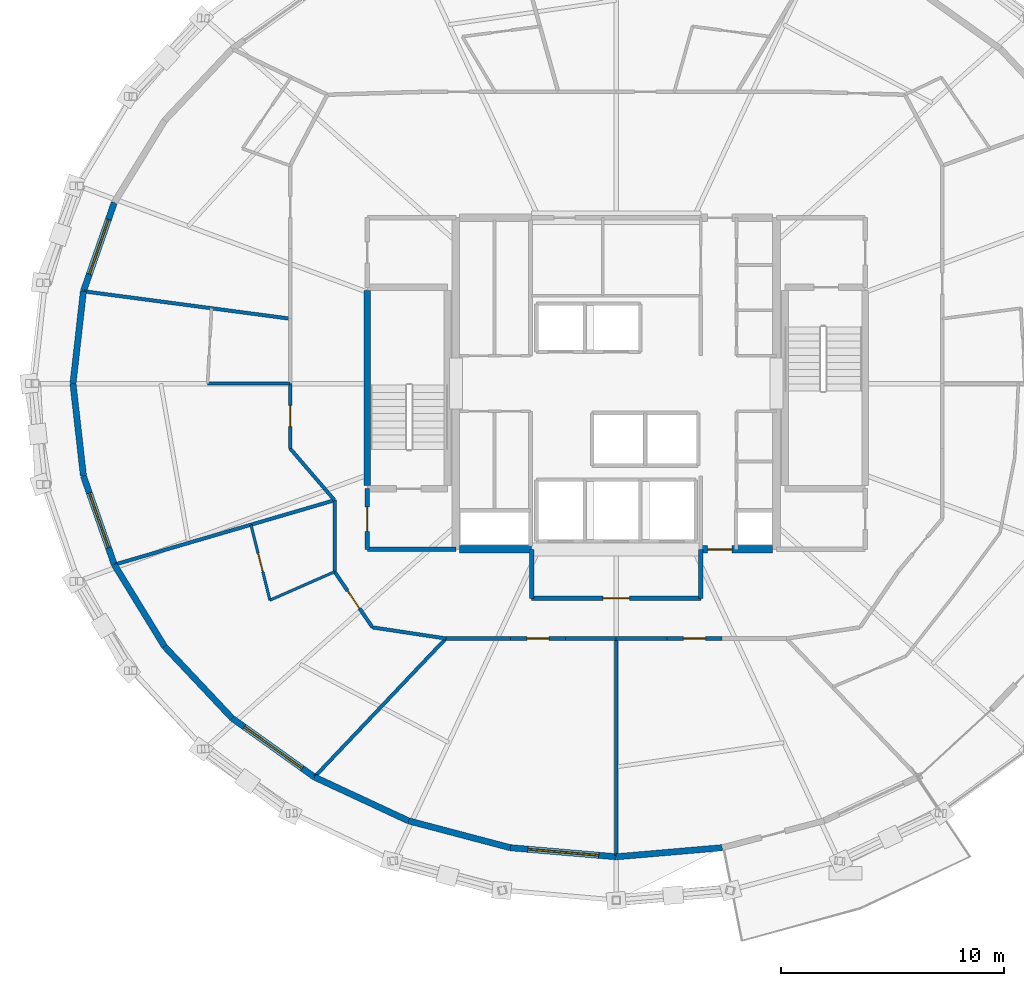
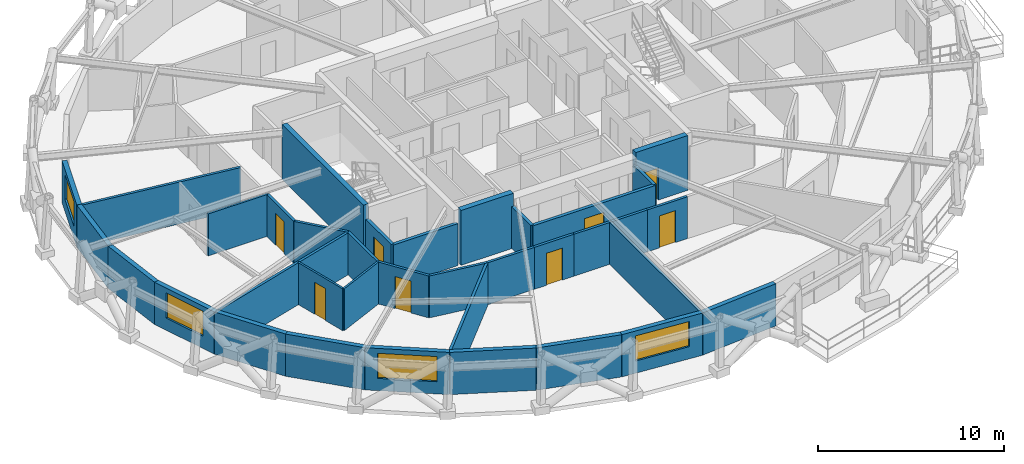
# One storey, part 9 of 14: 36 walls, 8 doors, 4 windows, 12 openings.
"""IFC4 building model written with IfcOpenShell, lengths in metres."""

from ifc_helpers import new_model, si_unit, direction, frame, frame_2d, origin, place, context, subcontext, project, spatial, rectangle, extrude, material, layer, layer_set, type_object, element, fill, save


model = new_model("IFC4")

# Units and contexts
model_context = context("Model", 3, precision=1e-05, world=origin(), true_north=direction((0.0, 1.0)))
body_context = subcontext(model_context, "Body", "Model", "MODEL_VIEW")
ifc_project = project(units=[si_unit("LENGTHUNIT", "METRE"), si_unit("AREAUNIT", "SQUARE_METRE"), si_unit("VOLUMEUNIT", "CUBIC_METRE"), si_unit("PLANEANGLEUNIT", "RADIAN"), si_unit("MASSUNIT", "GRAM", prefix="KILO")], contexts=[model_context])

# Site, building, storey
site_placement = place(None, origin())
site = spatial("IfcSite", under=ifc_project, at=site_placement, CompositionType="ELEMENT")
building_placement = place(site_placement, origin())
building = spatial("IfcBuilding", under=site, at=building_placement, Name="Veldorina Hangang Commons", CompositionType="ELEMENT")
storey_placement = place(building_placement, frame((0.0, 0.0, 200.0)))
storey = spatial("IfcBuildingStorey", under=building, at=storey_placement, Name="L52", CompositionType="ELEMENT", Elevation=200.0)

# Wall
ifc_material_1 = material(Name="Concrete C60/75", Category="concrete")
ifc_layer_1 = layer(ifc_material_1, 0.340087890625)
ifc_layer_set_1 = layer_set([ifc_layer_1], Name="Concrete C60/75")
wall_type_1 = type_object("IfcWallType", Name="CW-RC340-C60", PredefinedType="SHEAR", material=ifc_layer_set_1)
wall_1_placement = place(storey_placement, frame((24.969970703125, 16.550048828125, 0.0), z_axis=(0.0, 0.0, 1.0), x_axis=(1.0, 0.0, 0.0)))
element("IfcWall", 1, at=wall_1_placement, inside=storey, type_object=wall_type_1, Name="L52 south-west core shear wall", PredefinedType="SHEAR", context=body_context, shape_type="SweptSolid", body=[
    extrude(rectangle(XDim=3.22998046875, YDim=0.340087890625, at=frame_2d((1.614990234375, 0.0))), origin(), (0.0, 0.0, 1.0), 3.60009765625),
])

# Wall, opening, door
wall_2_placement = place(storey_placement, frame((35.800048828125, 16.550048828125, 0.0), z_axis=(0.0, 0.0, 1.0), x_axis=(1.0, 0.0, 0.0)))
wall_2 = element("IfcWall", 2, at=wall_2_placement, inside=storey, type_object=wall_type_1, Name="L52 south-east core shear wall", PredefinedType="SHEAR", context=body_context, shape_type="SweptSolid", body=[
    extrude(rectangle(XDim=3.22998046875, YDim=0.340087890625, at=frame_2d((1.614990234375, 0.0))), origin(), (0.0, 0.0, 1.0), 3.60009765625),
])
opening_1_placement = place(wall_2_placement, frame((0.300048828125, 0.0, 0.0)))
opening_1 = element("IfcOpeningElement", 3, at=opening_1_placement, cuts=wall_2, Name="Opening D-08", PredefinedType="OPENING", context=body_context, shape_type="SweptSolid", body=[
    extrude(rectangle(XDim=1.10009765625, YDim=2.10009765625, at=frame_2d((0.550048828125, 1.050048828125))), frame((0.0, 0.18017578125, 0.0), z_axis=(0.0, -1.0, 0.0), x_axis=(1.0, 0.0, 0.0)), (0.0, 0.0, 1.0), 0.360107421875),
])
ifc_material_2 = material(Name="Steel Fire-Rated Smoke Seal", Category="steel")
door_type_1 = type_object("IfcDoorType", Name="DR-FIRE-1100", OperationType="SINGLE_SWING_RIGHT", PredefinedType="DOOR", material=ifc_material_2)
door_1_placement = place(opening_1_placement, origin())
door_1 = element("IfcDoor", 4, at=door_1_placement, inside=storey, type_object=door_type_1, Name="L52 central lift lobby south corridor door", OperationType="SINGLE_SWING_RIGHT", OverallHeight=2.10009765625, OverallWidth=1.10009765625, PredefinedType="DOOR", context=body_context, shape_type="SweptSolid", body=[
    extrude(rectangle(XDim=1.10009765625, YDim=2.10009765625, at=frame_2d((0.550048828125, 1.050048828125))), frame((0.0, 0.02490234375, 0.0), z_axis=(0.0, -1.0, 0.0), x_axis=(1.0, 0.0, 0.0)), (0.0, 0.0, 1.0), 0.050048828125),
])
fill(opening_1, door_1)

# Wall, opening, window
ifc_material_3 = material(Name="Stone Roman Travertine", Category="masonry")
ifc_layer_2 = layer(ifc_material_3, 0.280029296875)
ifc_layer_set_2 = layer_set([ifc_layer_2], Name="Stone Roman Travertine")
wall_type_2 = type_object("IfcWallType", Name="EW-TRAV-280", PredefinedType="STANDARD", material=ifc_layer_set_2)
wall_3_placement = place(storey_placement, frame((9.456787109375, 32.134033203125, 0.0), z_axis=(0.0, 0.0, 1.0), x_axis=(-0.328845805233, -0.94438362776, 0.0)))
wall_3 = element("IfcWall", 5, at=wall_3_placement, inside=storey, type_object=wall_type_2, Name="L52 travertine facade wall 14", PredefinedType="STANDARD", context=body_context, shape_type="SweptSolid", body=[
    extrude(rectangle(XDim=4.22216796875, YDim=0.280029296875, at=frame_2d((2.111083984375, 0.0))), origin(), (0.0, 0.0, 1.0), 2.77001953125),
])
opening_2_placement = place(wall_3_placement, frame((0.81103515625, 0.0, 0.800048828125)))
opening_2 = element("IfcOpeningElement", 6, at=opening_2_placement, cuts=wall_3, Name="Opening W-02", PredefinedType="OPENING", context=body_context, shape_type="SweptSolid", body=[
    extrude(rectangle(XDim=2.60009765625, YDim=1.64990234375, at=frame_2d((1.300048828125, 0.824951171875))), frame((0.0, 0.14990234375, 0.0), z_axis=(0.0, -1.0, 0.0), x_axis=(1.0, 0.0, 0.0)), (0.0, 0.0, 1.0), 0.300048828125),
])
ifc_material_4 = material(Name="Glass Low-E Triple IGU", Category="glass")
window_type_1 = type_object("IfcWindowType", Name="WIN-TWR-2600", PartitioningType="SINGLE_PANEL", PredefinedType="WINDOW", material=ifc_material_4)
window_1_placement = place(opening_2_placement, origin())
window_1 = element("IfcWindow", 7, at=window_1_placement, inside=storey, type_object=window_type_1, Name="L52 facade window 14", OverallHeight=1.64990234375, OverallWidth=2.60009765625, PartitioningType="SINGLE_PANEL", PredefinedType="WINDOW", context=body_context, shape_type="SweptSolid", body=[
    extrude(rectangle(XDim=2.60009765625, YDim=1.64990234375, at=frame_2d((1.300048828125, 0.824951171875))), frame((0.0, 0.030029296875, 0.0), z_axis=(0.0, -1.0, 0.0), x_axis=(1.0, 0.0, 0.0)), (0.0, 0.0, 1.0), 0.06005859375),
])
fill(opening_2, window_1)

# Walls
for number, where, z_axis, x_axis, name in (
    (8, (8.068359375, 28.146728515625, 0.0), (0.0, 0.0, 1.0), (-0.112325534702, -0.99367146193, 0.0), "L52 travertine facade wall 15"),
    (9, (7.599609375, 24.0, 0.0), (0.0, 0.0, 1.0), (0.112325534702, -0.99367146193, 0.0), "L52 travertine facade wall 16"),
):
    element("IfcWall", number, at=place(storey_placement, frame(where, z_axis=z_axis, x_axis=x_axis)), inside=storey, type_object=wall_type_2, Name=name, PredefinedType="STANDARD", context=body_context, shape_type="SweptSolid", body=[
        extrude(rectangle(XDim=4.173095703125, YDim=0.280029296875, at=frame_2d((2.08642578125, 0.0))), origin(), (0.0, 0.0, 1.0), 2.77001953125),
    ])

# Wall, opening, window
wall_4_placement = place(storey_placement, frame((8.068359375, 19.853271484375, 0.0), z_axis=(0.0, 0.0, 1.0), x_axis=(0.328845805233, -0.94438362776, 0.0)))
wall_4 = element("IfcWall", 10, at=wall_4_placement, inside=storey, type_object=wall_type_2, Name="L52 travertine facade wall 17", PredefinedType="STANDARD", context=body_context, shape_type="SweptSolid", body=[
    extrude(rectangle(XDim=4.22216796875, YDim=0.280029296875, at=frame_2d((2.111083984375, 0.0))), origin(), (0.0, 0.0, 1.0), 2.77001953125),
])
opening_3_placement = place(wall_4_placement, frame((0.81103515625, 0.0, 0.800048828125)))
opening_3 = element("IfcOpeningElement", 11, at=opening_3_placement, cuts=wall_4, Name="Opening W-02", PredefinedType="OPENING", context=body_context, shape_type="SweptSolid", body=[
    extrude(rectangle(XDim=2.60009765625, YDim=1.64990234375, at=frame_2d((1.300048828125, 0.824951171875))), frame((0.0, 0.14990234375, 0.0), z_axis=(0.0, -1.0, 0.0), x_axis=(1.0, 0.0, 0.0)), (0.0, 0.0, 1.0), 0.300048828125),
])
window_2_placement = place(opening_3_placement, origin())
window_2 = element("IfcWindow", 12, at=window_2_placement, inside=storey, type_object=window_type_1, Name="L52 facade window 17", OverallHeight=1.64990234375, OverallWidth=2.60009765625, PartitioningType="SINGLE_PANEL", PredefinedType="WINDOW", context=body_context, shape_type="SweptSolid", body=[
    extrude(rectangle(XDim=2.60009765625, YDim=1.64990234375, at=frame_2d((1.300048828125, 0.824951171875))), frame((0.0, 0.030029296875, 0.0), z_axis=(0.0, -1.0, 0.0), x_axis=(1.0, 0.0, 0.0)), (0.0, 0.0, 1.0), 0.06005859375),
])
fill(opening_3, window_2)

# Walls
wall_5_placement = place(storey_placement, frame((9.456787109375, 15.865966796875, 0.0), z_axis=(0.0, 0.0, 1.0), x_axis=(0.522997521468, -0.852334202375, 0.0)))
element("IfcWall", 13, at=wall_5_placement, inside=storey, type_object=wall_type_2, Name="L52 travertine facade wall 18", PredefinedType="STANDARD", context=body_context, shape_type="SweptSolid", body=[
    extrude(rectangle(XDim=4.3115234375, YDim=0.280029296875, at=frame_2d((2.15576171875, 0.0))), origin(), (0.0, 0.0, 1.0), 2.77001953125),
])
wall_6_placement = place(storey_placement, frame((11.711669921875, 12.191162109375, 0.0), z_axis=(0.0, 0.0, 1.0), x_axis=(0.685717407763, -0.727867870352, 0.0)))
element("IfcWall", 14, at=wall_6_placement, inside=storey, type_object=wall_type_2, Name="L52 travertine facade wall 19", PredefinedType="STANDARD", context=body_context, shape_type="SweptSolid", body=[
    extrude(rectangle(XDim=4.42529296875, YDim=0.280029296875, at=frame_2d((2.212646484375, 0.0))), origin(), (0.0, 0.0, 1.0), 2.77001953125),
])

# Wall, opening, window
wall_7_placement = place(storey_placement, frame((14.74609375, 8.97021484375, 0.0), z_axis=(0.0, 0.0, 1.0), x_axis=(0.813519294528, -0.581537924327, 0.0)))
wall_7 = element("IfcWall", 15, at=wall_7_placement, inside=storey, type_object=wall_type_2, Name="L52 travertine facade wall 20", PredefinedType="STANDARD", context=body_context, shape_type="SweptSolid", body=[
    extrude(rectangle(XDim=4.54541015625, YDim=0.280029296875, at=frame_2d((2.272705078125, 0.0))), origin(), (0.0, 0.0, 1.0), 2.77001953125),
])
opening_4_placement = place(wall_7_placement, frame((0.672607421875, 0.0, 0.800048828125)))
opening_4 = element("IfcOpeningElement", 16, at=opening_4_placement, cuts=wall_7, Name="Opening W-01", PredefinedType="OPENING", context=body_context, shape_type="SweptSolid", body=[
    extrude(rectangle(XDim=3.199951171875, YDim=1.64990234375, at=frame_2d((1.60009765625, 0.824951171875))), frame((0.0, 0.14990234375, 0.0), z_axis=(0.0, -1.0, 0.0), x_axis=(1.0, 0.0, 0.0)), (0.0, 0.0, 1.0), 0.300048828125),
])
window_type_2 = type_object("IfcWindowType", Name="WIN-TWR-3200", PartitioningType="SINGLE_PANEL", PredefinedType="WINDOW", material=ifc_material_4)
window_3_placement = place(opening_4_placement, origin())
window_3 = element("IfcWindow", 17, at=window_3_placement, inside=storey, type_object=window_type_2, Name="L52 facade window 20", OverallHeight=1.64990234375, OverallWidth=3.199951171875, PartitioningType="SINGLE_PANEL", PredefinedType="WINDOW", context=body_context, shape_type="SweptSolid", body=[
    extrude(rectangle(XDim=3.199951171875, YDim=1.64990234375, at=frame_2d((1.60009765625, 0.824951171875))), frame((0.0, 0.030029296875, 0.0), z_axis=(0.0, -1.0, 0.0), x_axis=(1.0, 0.0, 0.0)), (0.0, 0.0, 1.0), 0.06005859375),
])
fill(opening_4, window_3)

# Walls
wall_8_placement = place(storey_placement, frame((18.44384765625, 6.326904296875, 0.0), z_axis=(0.0, 0.0, 1.0), x_axis=(0.906555409807, -0.422086826315, 0.0)))
element("IfcWall", 18, at=wall_8_placement, inside=storey, type_object=wall_type_2, Name="L52 travertine facade wall 21", PredefinedType="STANDARD", context=body_context, shape_type="SweptSolid", body=[
    extrude(rectangle(XDim=4.6533203125, YDim=0.280029296875, at=frame_2d((2.32666015625, 0.0))), origin(), (0.0, 0.0, 1.0), 2.77001953125),
])
wall_9_placement = place(storey_placement, frame((22.662353515625, 4.36279296875, 0.0), z_axis=(0.0, 0.0, 1.0), x_axis=(0.966819561224, -0.255460243549, 0.0)))
element("IfcWall", 19, at=wall_9_placement, inside=storey, type_object=wall_type_2, Name="L52 travertine facade wall 22", PredefinedType="STANDARD", context=body_context, shape_type="SweptSolid", body=[
    extrude(rectangle(XDim=4.734375, YDim=0.280029296875, at=frame_2d((2.3671875, 0.0))), origin(), (0.0, 0.0, 1.0), 2.77001953125),
])

# Wall, opening, window
wall_10_placement = place(storey_placement, frame((27.23974609375, 3.1533203125, 0.0), z_axis=(0.0, 0.0, 1.0), x_axis=(0.996339067147, -0.085489550689, 0.0)))
wall_10 = element("IfcWall", 20, at=wall_10_placement, inside=storey, type_object=wall_type_2, Name="L52 travertine facade wall 23", PredefinedType="STANDARD", context=body_context, shape_type="SweptSolid", body=[
    extrude(rectangle(XDim=4.77783203125, YDim=0.280029296875, at=frame_2d((2.388916015625, 0.0))), origin(), (0.0, 0.0, 1.0), 2.77001953125),
])
opening_5_placement = place(wall_10_placement, frame((0.788818359375, 0.0, 0.800048828125)))
opening_5 = element("IfcOpeningElement", 21, at=opening_5_placement, cuts=wall_10, Name="Opening W-01", PredefinedType="OPENING", context=body_context, shape_type="SweptSolid", body=[
    extrude(rectangle(XDim=3.199951171875, YDim=1.64990234375, at=frame_2d((1.60009765625, 0.824951171875))), frame((0.0, 0.14990234375, 0.0), z_axis=(0.0, -1.0, 0.0), x_axis=(1.0, 0.0, 0.0)), (0.0, 0.0, 1.0), 0.300048828125),
])
window_4_placement = place(opening_5_placement, origin())
window_4 = element("IfcWindow", 22, at=window_4_placement, inside=storey, type_object=window_type_2, Name="L52 facade window 23", OverallHeight=1.64990234375, OverallWidth=3.199951171875, PartitioningType="SINGLE_PANEL", PredefinedType="WINDOW", context=body_context, shape_type="SweptSolid", body=[
    extrude(rectangle(XDim=3.199951171875, YDim=1.64990234375, at=frame_2d((1.60009765625, 0.824951171875))), frame((0.0, 0.030029296875, 0.0), z_axis=(0.0, -1.0, 0.0), x_axis=(1.0, 0.0, 0.0)), (0.0, 0.0, 1.0), 0.06005859375),
])
fill(opening_5, window_4)

# Walls
wall_11_placement = place(storey_placement, frame((32.0, 2.744873046875, 0.0), z_axis=(0.0, 0.0, 1.0), x_axis=(0.996339067147, 0.085489550689, 0.0)))
element("IfcWall", 23, at=wall_11_placement, inside=storey, type_object=wall_type_2, Name="L52 travertine facade wall 24", PredefinedType="STANDARD", context=body_context, shape_type="SweptSolid", body=[
    extrude(rectangle(XDim=4.77783203125, YDim=0.280029296875, at=frame_2d((2.388916015625, 0.0))), origin(), (0.0, 0.0, 1.0), 2.77001953125),
])
ifc_material_5 = material(Name="Concrete C50/60", Category="concrete")
ifc_layer_3 = layer(ifc_material_5, 0.300048828125)
ifc_layer_set_3 = layer_set([ifc_layer_3], Name="Concrete C50/60")
wall_type_3 = type_object("IfcWallType", Name="SW-STAIR-300", PredefinedType="SHEAR", material=ifc_layer_set_3)
wall_12_placement = place(storey_placement, frame((20.820068359375, 19.429931640625, 0.0), z_axis=(0.0, 0.0, 1.0), x_axis=(0.0, 1.0, 0.0)))
element("IfcWall", 24, at=wall_12_placement, inside=storey, type_object=wall_type_3, Name="L52 ST1 outer stair shear wall", PredefinedType="SHEAR", context=body_context, shape_type="SweptSolid", body=[
    extrude(rectangle(XDim=8.739990234375, YDim=0.300048828125, at=frame_2d((4.3701171875, 0.0))), origin(), (0.0, 0.0, 1.0), 3.60009765625),
])

# Wall, opening, door
ifc_material_6 = material(Name="Gypsum Fire-Rated Twin Stud Wall", Category="gypsum")
ifc_layer_4 = layer(ifc_material_6, 0.159912109375)
ifc_layer_set_4 = layer_set([ifc_layer_4], Name="Gypsum Fire-Rated Twin Stud Wall")
wall_type_4 = type_object("IfcWallType", Name="WL-FIRE-160", PredefinedType="SOLIDWALL", material=ifc_layer_set_4)
wall_13_placement = place(storey_placement, frame((17.35009765625, 24.0, 0.0), z_axis=(0.0, 0.0, 1.0), x_axis=(0.0, -1.0, 0.0)))
wall_13 = element("IfcWall", 25, at=wall_13_placement, inside=storey, type_object=wall_type_4, Name="L52 U-corridor outer wall 16 066", PredefinedType="SOLIDWALL", context=body_context, shape_type="SweptSolid", body=[
    extrude(rectangle(XDim=2.9140625, YDim=0.159912109375, at=frame_2d((1.45703125, 0.0))), origin(), (0.0, 0.0, 1.0), 2.75),
])
opening_6_placement = place(wall_13_placement, frame((0.98193359375, 0.0, 0.0)))
opening_6 = element("IfcOpeningElement", 26, at=opening_6_placement, cuts=wall_13, Name="Opening D-03", PredefinedType="OPENING", context=body_context, shape_type="SweptSolid", body=[
    extrude(rectangle(XDim=0.949951171875, YDim=2.10009765625, at=frame_2d((0.47509765625, 1.050048828125))), frame((0.0, 0.08984375, 0.0), z_axis=(0.0, -1.0, 0.0), x_axis=(1.0, 0.0, 0.0)), (0.0, 0.0, 1.0), 0.179931640625),
])
ifc_material_7 = material(Name="Timber Fire-Rated Entrance Core", Category="wood")
door_type_2 = type_object("IfcDoorType", Name="DR-UNIT-950", OperationType="SINGLE_SWING_RIGHT", PredefinedType="DOOR", material=ifc_material_7)
door_2_placement = place(opening_6_placement, origin())
door_2 = element("IfcDoor", 27, at=door_2_placement, inside=storey, type_object=door_type_2, Name="L52 Studio 7 entrance door 035", OperationType="SINGLE_SWING_LEFT", OverallHeight=2.10009765625, OverallWidth=0.949951171875, PredefinedType="DOOR", context=body_context, shape_type="SweptSolid", body=[
    extrude(rectangle(XDim=0.949951171875, YDim=2.10009765625, at=frame_2d((0.47509765625, 1.050048828125))), frame((0.0, 0.02490234375, 0.0), z_axis=(0.0, -1.0, 0.0), x_axis=(1.0, 0.0, 0.0)), (0.0, 0.0, 1.0), 0.050048828125),
])
fill(opening_6, door_2)

# Walls
wall_14_placement = place(storey_placement, frame((17.35009765625, 21.0859375, 0.0), z_axis=(0.0, 0.0, 1.0), x_axis=(0.652022797448, -0.758199361388, 0.0)))
element("IfcWall", 28, at=wall_14_placement, inside=storey, type_object=wall_type_4, Name="L52 U-corridor outer wall 17 067", PredefinedType="SOLIDWALL", context=body_context, shape_type="SweptSolid", body=[
    extrude(rectangle(XDim=3.0673828125, YDim=0.159912109375, at=frame_2d((1.53369140625, 0.0))), origin(), (0.0, 0.0, 1.0), 2.75),
])
wall_15_placement = place(storey_placement, frame((19.35009765625, 18.76025390625, 0.0), z_axis=(0.0, 0.0, 1.0), x_axis=(0.0, -1.0, 0.0)))
element("IfcWall", 29, at=wall_15_placement, inside=storey, type_object=wall_type_4, Name="L52 U-corridor outer wall 18 068", PredefinedType="SOLIDWALL", context=body_context, shape_type="SweptSolid", body=[
    extrude(rectangle(XDim=3.212646484375, YDim=0.159912109375, at=frame_2d((1.6064453125, 0.0))), origin(), (0.0, 0.0, 1.0), 2.75),
])

# Wall, opening, door
wall_16_placement = place(storey_placement, frame((19.35009765625, 15.547607421875, 0.0), z_axis=(0.0, 0.0, 1.0), x_axis=(0.562674669208, -0.826678423955, 0.0)))
wall_16 = element("IfcWall", 30, at=wall_16_placement, inside=storey, type_object=wall_type_4, Name="L52 U-corridor outer wall 19 069", PredefinedType="SOLIDWALL", context=body_context, shape_type="SweptSolid", body=[
    extrude(rectangle(XDim=3.021240234375, YDim=0.159912109375, at=frame_2d((1.5107421875, 0.0))), origin(), (0.0, 0.0, 1.0), 2.75),
])
opening_7_placement = place(wall_16_placement, frame((1.03564453125, 0.0, 0.0)))
opening_7 = element("IfcOpeningElement", 31, at=opening_7_placement, cuts=wall_16, Name="Opening D-03", PredefinedType="OPENING", context=body_context, shape_type="SweptSolid", body=[
    extrude(rectangle(XDim=0.949951171875, YDim=2.10009765625, at=frame_2d((0.47509765625, 1.050048828125))), frame((0.0, 0.08984375, 0.0), z_axis=(0.0, -1.0, 0.0), x_axis=(1.0, 0.0, 0.0)), (0.0, 0.0, 1.0), 0.179931640625),
])
door_3_placement = place(opening_7_placement, origin())
door_3 = element("IfcDoor", 32, at=door_3_placement, inside=storey, type_object=door_type_2, Name="L52 Studio 8 entrance door 037", OperationType="SINGLE_SWING_LEFT", OverallHeight=2.10009765625, OverallWidth=0.949951171875, PredefinedType="DOOR", context=body_context, shape_type="SweptSolid", body=[
    extrude(rectangle(XDim=0.949951171875, YDim=2.10009765625, at=frame_2d((0.47509765625, 1.050048828125))), frame((0.0, 0.02490234375, 0.0), z_axis=(0.0, -1.0, 0.0), x_axis=(1.0, 0.0, 0.0)), (0.0, 0.0, 1.0), 0.050048828125),
])
fill(opening_7, door_3)

# Walls
wall_17_placement = place(storey_placement, frame((21.050048828125, 13.050048828125, 0.0), z_axis=(0.0, 0.0, 1.0), x_axis=(0.988710906508, -0.149835721217, 0.0)))
element("IfcWall", 33, at=wall_17_placement, inside=storey, type_object=wall_type_4, Name="L52 U-corridor outer wall 20 070", PredefinedType="SOLIDWALL", context=body_context, shape_type="SweptSolid", body=[
    extrude(rectangle(XDim=3.3369140625, YDim=0.159912109375, at=frame_2d((1.66845703125, 0.0))), origin(), (0.0, 0.0, 1.0), 2.75),
])
wall_18_placement = place(storey_placement, frame((24.349365234375, 12.550048828125, 0.0), z_axis=(0.0, 0.0, 1.0), x_axis=(1.0, 0.0, 0.0)))
element("IfcWall", 34, at=wall_18_placement, inside=storey, type_object=wall_type_4, Name="L52 U-corridor outer wall 21 071", PredefinedType="SOLIDWALL", context=body_context, shape_type="SweptSolid", body=[
    extrude(rectangle(XDim=2.907958984375, YDim=0.159912109375, at=frame_2d((1.4541015625, 0.0))), origin(), (0.0, 0.0, 1.0), 2.75),
])

# Wall, opening, door
wall_19_placement = place(storey_placement, frame((27.25732421875, 12.550048828125, 0.0), z_axis=(0.0, 0.0, 1.0), x_axis=(1.0, 0.0, 0.0)))
wall_19 = element("IfcWall", 35, at=wall_19_placement, inside=storey, type_object=wall_type_4, Name="L52 U-corridor outer wall 22 072", PredefinedType="SOLIDWALL", context=body_context, shape_type="SweptSolid", body=[
    extrude(rectangle(XDim=2.465087890625, YDim=0.159912109375, at=frame_2d((1.232421875, 0.0))), origin(), (0.0, 0.0, 1.0), 2.75),
])
opening_8_placement = place(wall_19_placement, frame((0.732666015625, 0.0, 0.0)))
opening_8 = element("IfcOpeningElement", 36, at=opening_8_placement, cuts=wall_19, Name="Opening D-05", PredefinedType="OPENING", context=body_context, shape_type="SweptSolid", body=[
    extrude(rectangle(XDim=1.0, YDim=2.10009765625, at=frame_2d((0.5, 1.050048828125))), frame((0.0, 0.08984375, 0.0), z_axis=(0.0, -1.0, 0.0), x_axis=(1.0, 0.0, 0.0)), (0.0, 0.0, 1.0), 0.179931640625),
])
ifc_material_8 = material(Name="Timber Solid Core Acoustic", Category="wood")
door_type_3 = type_object("IfcDoorType", Name="DR-INT-1000", OperationType="SINGLE_SWING_RIGHT", PredefinedType="DOOR", material=ifc_material_8)
door_4_placement = place(opening_8_placement, origin())
door_4 = element("IfcDoor", 37, at=door_4_placement, inside=storey, type_object=door_type_3, Name="L52 Floor Study Room 9 door 038", OperationType="SINGLE_SWING_RIGHT", OverallHeight=2.10009765625, OverallWidth=1.0, PredefinedType="DOOR", context=body_context, shape_type="SweptSolid", body=[
    extrude(rectangle(XDim=1.0, YDim=2.10009765625, at=frame_2d((0.5, 1.050048828125))), frame((0.0, 0.02490234375, 0.0), z_axis=(0.0, -1.0, 0.0), x_axis=(1.0, 0.0, 0.0)), (0.0, 0.0, 1.0), 0.050048828125),
])
fill(opening_8, door_4)

# Walls
for number, where, z_axis, x_axis, name in (
    (38, (29.722412109375, 12.550048828125, 0.0), (0.0, 0.0, 1.0), (1.0, 0.0, 0.0), "L52 U-corridor outer wall 23 073"),
    (39, (32.0, 12.550048828125, 0.0), (0.0, 0.0, 1.0), (1.0, 0.0, 0.0), "L52 U-corridor outer wall 24 074"),
):
    element("IfcWall", number, at=place(storey_placement, frame(where, z_axis=z_axis, x_axis=x_axis)), inside=storey, type_object=wall_type_4, Name=name, PredefinedType="SOLIDWALL", context=body_context, shape_type="SweptSolid", body=[
        extrude(rectangle(XDim=2.277587890625, YDim=0.159912109375, at=frame_2d((1.138671875, 0.0))), origin(), (0.0, 0.0, 1.0), 2.75),
    ])

# Wall, opening, door
wall_20_placement = place(storey_placement, frame((34.277587890625, 12.550048828125, 0.0), z_axis=(0.0, 0.0, 1.0), x_axis=(1.0, 0.0, 0.0)))
wall_20 = element("IfcWall", 40, at=wall_20_placement, inside=storey, type_object=wall_type_4, Name="L52 U-corridor outer wall 25 075", PredefinedType="SOLIDWALL", context=body_context, shape_type="SweptSolid", body=[
    extrude(rectangle(XDim=2.465087890625, YDim=0.159912109375, at=frame_2d((1.232421875, 0.0))), origin(), (0.0, 0.0, 1.0), 2.75),
])
opening_9_placement = place(wall_20_placement, frame((0.732666015625, 0.0, 0.0)))
opening_9 = element("IfcOpeningElement", 41, at=opening_9_placement, cuts=wall_20, Name="Opening D-05", PredefinedType="OPENING", context=body_context, shape_type="SweptSolid", body=[
    extrude(rectangle(XDim=1.0, YDim=2.10009765625, at=frame_2d((0.5, 1.050048828125))), frame((0.0, 0.08984375, 0.0), z_axis=(0.0, -1.0, 0.0), x_axis=(1.0, 0.0, 0.0)), (0.0, 0.0, 1.0), 0.179931640625),
])
door_5_placement = place(opening_9_placement, origin())
door_5 = element("IfcDoor", 42, at=door_5_placement, inside=storey, type_object=door_type_3, Name="L52 Seminar Focus Room 10 door 039", OperationType="SINGLE_SWING_LEFT", OverallHeight=2.10009765625, OverallWidth=1.0, PredefinedType="DOOR", context=body_context, shape_type="SweptSolid", body=[
    extrude(rectangle(XDim=1.0, YDim=2.10009765625, at=frame_2d((0.5, 1.050048828125))), frame((0.0, 0.02490234375, 0.0), z_axis=(0.0, -1.0, 0.0), x_axis=(1.0, 0.0, 0.0)), (0.0, 0.0, 1.0), 0.050048828125),
])
fill(opening_9, door_5)

# Walls
wall_21_placement = place(storey_placement, frame((17.35009765625, 26.9140625, 0.0), z_axis=(0.0, 0.0, 1.0), x_axis=(-0.991296450771, 0.131648572677, 0.0)))
element("IfcWall", 43, at=wall_21_placement, inside=storey, type_object=wall_type_4, Name="L52 Unit party wall 15 103", PredefinedType="SOLIDWALL", context=body_context, shape_type="SweptSolid", body=[
    extrude(rectangle(XDim=9.313232421875, YDim=0.159912109375, at=frame_2d((4.65673828125, 0.0))), origin(), (0.0, 0.0, 1.0), 2.75),
])
wall_22_placement = place(storey_placement, frame((19.35009765625, 18.76025390625, 0.0), z_axis=(0.0, 0.0, 1.0), x_axis=(-0.959767761357, -0.280795021785, 0.0)))
element("IfcWall", 44, at=wall_22_placement, inside=storey, type_object=wall_type_4, Name="L52 Unit party wall 18 106", PredefinedType="SOLIDWALL", context=body_context, shape_type="SweptSolid", body=[
    extrude(rectangle(XDim=10.2578125, YDim=0.159912109375, at=frame_2d((5.12890625, 0.0))), origin(), (0.0, 0.0, 1.0), 2.75),
])
wall_23_placement = place(storey_placement, frame((24.349365234375, 12.550048828125, 0.0), z_axis=(0.0, 0.0, 1.0), x_axis=(-0.688358927094, -0.725370241662, 0.0)))
element("IfcWall", 45, at=wall_23_placement, inside=storey, type_object=wall_type_4, Name="L52 Unit party wall 21 109", PredefinedType="SOLIDWALL", context=body_context, shape_type="SweptSolid", body=[
    extrude(rectangle(XDim=8.529052734375, YDim=0.159912109375, at=frame_2d((4.2646484375, 0.0))), origin(), (0.0, 0.0, 1.0), 2.75),
])
wall_24_placement = place(storey_placement, frame((32.0, 12.550048828125, 0.0), z_axis=(0.0, 0.0, 1.0), x_axis=(0.0, -1.0, 0.0)))
element("IfcWall", 46, at=wall_24_placement, inside=storey, type_object=wall_type_4, Name="L52 Unit party wall 24 110", PredefinedType="SOLIDWALL", context=body_context, shape_type="SweptSolid", body=[
    extrude(rectangle(XDim=9.755126953125, YDim=0.159912109375, at=frame_2d((4.87744140625, 0.0))), origin(), (0.0, 0.0, 1.0), 2.75),
])

# Wall, opening, door
ifc_material_9 = material(Name="Concrete Blockwork Fire Wall C30/37", Category="masonry")
ifc_layer_5 = layer(ifc_material_9, 0.199951171875)
ifc_layer_set_5 = layer_set([ifc_layer_5], Name="Concrete Blockwork Fire Wall C30/37")
wall_type_5 = type_object("IfcWallType", Name="WL-FIRE-200", PredefinedType="SOLIDWALL", material=ifc_layer_set_5)
wall_25_placement = place(storey_placement, frame((20.820068359375, 16.550048828125, 0.0), z_axis=(0.0, 0.0, 1.0), x_axis=(0.0, 1.0, 0.0)))
wall_25 = element("IfcWall", 47, at=wall_25_placement, inside=storey, type_object=wall_type_5, Name="L52 West vestibule outer wall 001", PredefinedType="SOLIDWALL", context=body_context, shape_type="SweptSolid", body=[
    extrude(rectangle(XDim=2.72998046875, YDim=0.199951171875, at=frame_2d((1.364990234375, 0.0))), origin(), (0.0, 0.0, 1.0), 2.75),
])
opening_10_placement = place(wall_25_placement, frame((0.81494140625, 0.0, 0.0)))
opening_10 = element("IfcOpeningElement", 48, at=opening_10_placement, cuts=wall_25, Name="Opening D-08", PredefinedType="OPENING", context=body_context, shape_type="SweptSolid", body=[
    extrude(rectangle(XDim=1.10009765625, YDim=2.10009765625, at=frame_2d((0.550048828125, 1.050048828125))), frame((0.0, 0.10986328125, 0.0), z_axis=(0.0, -1.0, 0.0), x_axis=(1.0, 0.0, 0.0)), (0.0, 0.0, 1.0), 0.219970703125),
])
door_6_placement = place(opening_10_placement, origin())
door_6 = element("IfcDoor", 49, at=door_6_placement, inside=storey, type_object=door_type_1, Name="L52 West vestibule west door 001", OperationType="SINGLE_SWING_LEFT", OverallHeight=2.10009765625, OverallWidth=1.10009765625, PredefinedType="DOOR", context=body_context, shape_type="SweptSolid", body=[
    extrude(rectangle(XDim=1.10009765625, YDim=2.10009765625, at=frame_2d((0.550048828125, 1.050048828125))), frame((0.0, 0.02490234375, 0.0), z_axis=(0.0, -1.0, 0.0), x_axis=(1.0, 0.0, 0.0)), (0.0, 0.0, 1.0), 0.050048828125),
])
fill(opening_10, door_6)

# Walls
wall_26_placement = place(storey_placement, frame((20.820068359375, 16.550048828125, 0.0), z_axis=(0.0, 0.0, 1.0), x_axis=(1.0, 0.0, 0.0)))
element("IfcWall", 50, at=wall_26_placement, inside=storey, type_object=wall_type_5, Name="L52 West vestibule south wall 002", PredefinedType="SOLIDWALL", context=body_context, shape_type="SweptSolid", body=[
    extrude(rectangle(XDim=3.97998046875, YDim=0.199951171875, at=frame_2d((1.989990234375, 0.0))), origin(), (0.0, 0.0, 1.0), 2.75),
])
for number, where, z_axis, x_axis, name in (
    (51, (28.199951171875, 14.35009765625, 0.0), (0.0, 0.0, 1.0), (0.0, 1.0, 0.0), "L52 FF lobby west wall 012"),
    (52, (35.800048828125, 14.35009765625, 0.0), (0.0, 0.0, 1.0), (0.0, 1.0, 0.0), "L52 FF lobby east wall 013"),
):
    element("IfcWall", number, at=place(storey_placement, frame(where, z_axis=z_axis, x_axis=x_axis)), inside=storey, type_object=wall_type_5, Name=name, PredefinedType="SOLIDWALL", context=body_context, shape_type="SweptSolid", body=[
        extrude(rectangle(XDim=2.199951171875, YDim=0.199951171875, at=frame_2d((1.10009765625, 0.0))), origin(), (0.0, 0.0, 1.0), 2.75),
    ])

# Wall, opening, door
wall_27_placement = place(storey_placement, frame((28.199951171875, 14.35009765625, 0.0), z_axis=(0.0, 0.0, 1.0), x_axis=(1.0, 0.0, 0.0)))
wall_27 = element("IfcWall", 53, at=wall_27_placement, inside=storey, type_object=wall_type_5, Name="L52 FF lobby south wall 014", PredefinedType="SOLIDWALL", context=body_context, shape_type="SweptSolid", body=[
    extrude(rectangle(XDim=7.60009765625, YDim=0.199951171875, at=frame_2d((3.800048828125, 0.0))), origin(), (0.0, 0.0, 1.0), 2.75),
])
opening_11_placement = place(wall_27_placement, frame((3.199951171875, 0.0, 0.0)))
opening_11 = element("IfcOpeningElement", 54, at=opening_11_placement, cuts=wall_27, Name="Opening D-09", PredefinedType="OPENING", context=body_context, shape_type="SweptSolid", body=[
    extrude(rectangle(XDim=1.199951171875, YDim=2.10009765625, at=frame_2d((0.60009765625, 1.050048828125))), frame((0.0, 0.10986328125, 0.0), z_axis=(0.0, -1.0, 0.0), x_axis=(1.0, 0.0, 0.0)), (0.0, 0.0, 1.0), 0.219970703125),
])
ifc_material_10 = material(Name="Steel Fire-Rated Corridor Door", Category="steel")
door_type_4 = type_object("IfcDoorType", Name="DR-FIRE-1200", OperationType="SINGLE_SWING_LEFT", PredefinedType="DOOR", material=ifc_material_10)
door_7_placement = place(opening_11_placement, origin())
door_7 = element("IfcDoor", 55, at=door_7_placement, inside=storey, type_object=door_type_4, Name="L52 FF lobby south corridor door 005", OperationType="SINGLE_SWING_LEFT", OverallHeight=2.10009765625, OverallWidth=1.199951171875, PredefinedType="DOOR", context=body_context, shape_type="SweptSolid", body=[
    extrude(rectangle(XDim=1.199951171875, YDim=2.10009765625, at=frame_2d((0.60009765625, 1.050048828125))), frame((0.0, 0.02490234375, 0.0), z_axis=(0.0, -1.0, 0.0), x_axis=(1.0, 0.0, 0.0)), (0.0, 0.0, 1.0), 0.050048828125),
])
fill(opening_11, door_7)

# Wall
ifc_material_11 = material(Name="Gypsum Acoustic Stud Partition", Category="gypsum")
ifc_layer_6 = layer(ifc_material_11, 0.1201171875)
ifc_layer_set_6 = layer_set([ifc_layer_6], Name="Gypsum Acoustic Stud Partition")
wall_type_6 = type_object("IfcWallType", Name="WL-PART-120", PredefinedType="PARTITIONING", material=ifc_layer_set_6)
wall_28_placement = place(storey_placement, frame((17.35009765625, 24.0, 0.0), z_axis=(0.0, 0.0, 1.0), x_axis=(-1.0, 0.0, 0.0)))
element("IfcWall", 56, at=wall_28_placement, inside=storey, type_object=wall_type_6, Name="L52 Studio 7 bath side wall 105", PredefinedType="PARTITIONING", context=body_context, shape_type="SweptSolid", body=[
    extrude(rectangle(XDim=3.705322265625, YDim=0.1201171875, at=frame_2d((1.8525390625, 0.0))), origin(), (0.0, 0.0, 1.0), 2.75),
])

# Wall, opening, door
wall_29_placement = place(storey_placement, frame((15.590576171875, 17.660400390625, 0.0), z_axis=(0.0, 0.0, 1.0), x_axis=(0.245197489627, -0.969473151294, 0.0)))
wall_29 = element("IfcWall", 57, at=wall_29_placement, inside=storey, type_object=wall_type_6, Name="L52 Studio 8 bath front wall 107", PredefinedType="PARTITIONING", context=body_context, shape_type="SweptSolid", body=[
    extrude(rectangle(XDim=3.494873046875, YDim=0.1201171875, at=frame_2d((1.74755859375, 0.0))), origin(), (0.0, 0.0, 1.0), 2.75),
])
opening_12_placement = place(wall_29_placement, frame((1.3173828125, 0.0, 0.0)))
opening_12 = element("IfcOpeningElement", 58, at=opening_12_placement, cuts=wall_29, Name="Opening D-01", PredefinedType="OPENING", context=body_context, shape_type="SweptSolid", body=[
    extrude(rectangle(XDim=0.860107421875, YDim=2.10009765625, at=frame_2d((0.43017578125, 1.050048828125))), frame((0.0, 0.070068359375, 0.0), z_axis=(0.0, -1.0, 0.0), x_axis=(1.0, 0.0, 0.0)), (0.0, 0.0, 1.0), 0.14013671875),
])
ifc_material_12 = material(Name="Timber Moisture-Resistant Core", Category="wood")
door_type_5 = type_object("IfcDoorType", Name="DR-WET-860", OperationType="SINGLE_SWING_LEFT", PredefinedType="DOOR", material=ifc_material_12)
door_8_placement = place(opening_12_placement, origin())
door_8 = element("IfcDoor", 59, at=door_8_placement, inside=storey, type_object=door_type_5, Name="L52 Studio 8 bathroom door 036", OperationType="SINGLE_SWING_RIGHT", OverallHeight=2.10009765625, OverallWidth=0.860107421875, PredefinedType="DOOR", context=body_context, shape_type="SweptSolid", body=[
    extrude(rectangle(XDim=0.860107421875, YDim=2.10009765625, at=frame_2d((0.43017578125, 1.050048828125))), frame((0.0, 0.02490234375, 0.0), z_axis=(0.0, -1.0, 0.0), x_axis=(1.0, 0.0, 0.0)), (0.0, 0.0, 1.0), 0.050048828125),
])
fill(opening_12, door_8)

# Wall
wall_30_placement = place(storey_placement, frame((19.35009765625, 15.547607421875, 0.0), z_axis=(0.0, 0.0, 1.0), x_axis=(-0.915518164914, -0.402276633317, 0.0)))
element("IfcWall", 60, at=wall_30_placement, inside=storey, type_object=wall_type_6, Name="L52 Studio 8 bath side wall 108", PredefinedType="PARTITIONING", context=body_context, shape_type="SweptSolid", body=[
    extrude(rectangle(XDim=3.17041015625, YDim=0.1201171875, at=frame_2d((1.585205078125, 0.0))), origin(), (0.0, 0.0, 1.0), 2.75),
])

save(model, "model.ifc")
